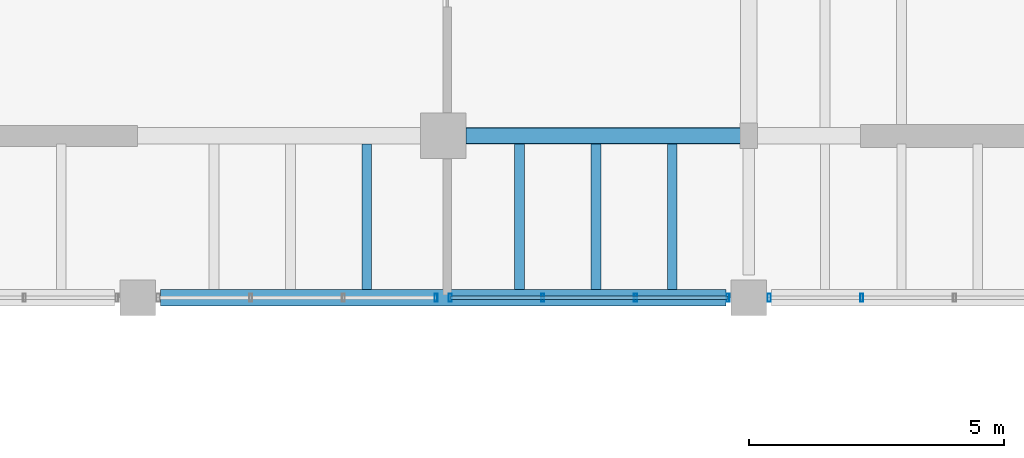
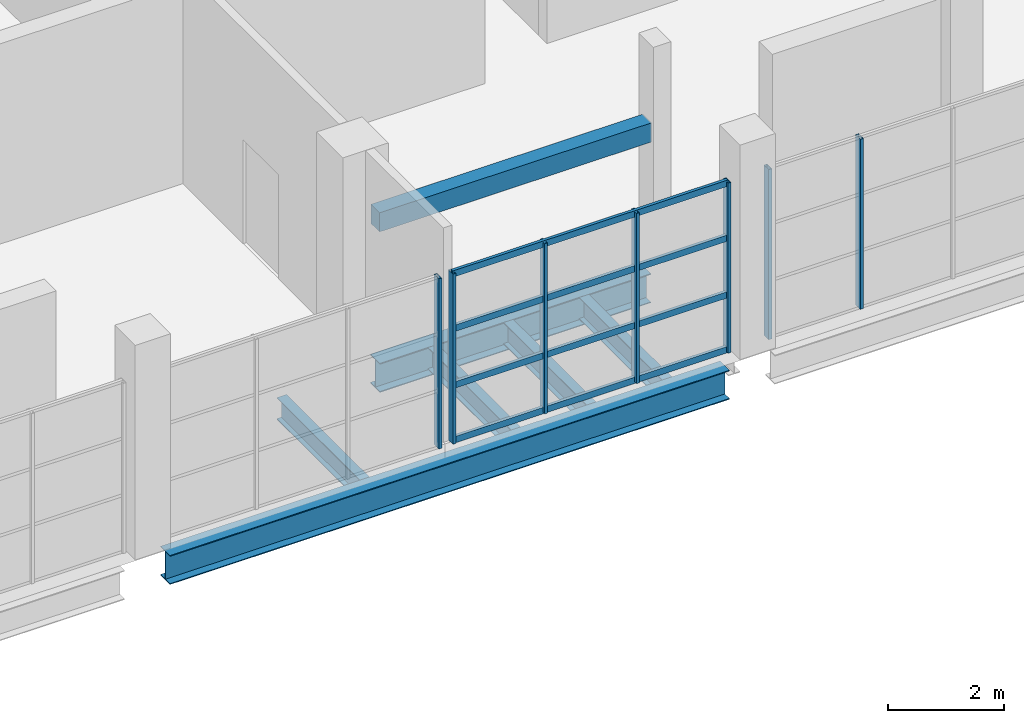
# One storey, part 21 of 63: 11 members, 7 beams, 3 elements without a shape of their own.
"""IFC4 building model written with IfcOpenShell, lengths in metres."""

from ifc_helpers import new_model, si_unit, direction, frame, origin, origin_2d, place, context, subcontext, project, spatial, rectangle, hollow_rectangle, i_section, extrude, material, material_profile, profile_set, type_object, element, aggregate, save


model = new_model("IFC4")

# Units and contexts
model_context = context("Model", 3, precision=1e-05, world=origin(), true_north=direction((0.0, 1.0)))
body_context = subcontext(model_context, "Body", "Model", "MODEL_VIEW")
ifc_project = project(units=[si_unit("LENGTHUNIT", "METRE"), si_unit("AREAUNIT", "SQUARE_METRE"), si_unit("VOLUMEUNIT", "CUBIC_METRE"), si_unit("PLANEANGLEUNIT", "RADIAN"), si_unit("MASSUNIT", "GRAM", prefix="KILO")], contexts=[model_context])

# Site, building, storey
site_placement = place(None, origin())
site = spatial("IfcSite", under=ifc_project, at=site_placement, CompositionType="ELEMENT")
building_placement = place(site_placement, origin())
building = spatial("IfcBuilding", under=site, at=building_placement, Name="Kelmvaro Bay Concert Hall", CompositionType="ELEMENT")
storey_placement = place(building_placement, frame((0.0, 0.0, 13.800048828125)))
storey = spatial("IfcBuildingStorey", under=building, at=storey_placement, Name="L03", CompositionType="ELEMENT", Elevation=13.800048828125)

# Beams
ifc_material_1 = material(Name="Concrete C40/50", Category="concrete")
ifc_material_profile_1 = material_profile(ifc_material_1, rectangle(XDim=0.300048828125, YDim=0.39990234375, at=origin_2d()), Name="RC-LNT-300X400")
ifc_profile_set_1 = profile_set([ifc_material_profile_1], Name="Concrete C40/50")
beam_type_1 = type_object("IfcBeamType", Name="Backstage Doorway Lintel RC300x400", PredefinedType="LINTEL", material=ifc_profile_set_1)
beam_1_placement = place(storey_placement, frame((42.449951171875, 68.580078125, 2.64990234375), z_axis=(1.0, 0.0, 0.0), x_axis=(0.0, 1.0, 0.0)))
element("IfcBeam", 1, at=beam_1_placement, inside=storey, type_object=beam_type_1, Name="L03 Acoustic Portal Lintel S2", PredefinedType="LINTEL", context=body_context, shape_type="SweptSolid", body=[
    extrude(rectangle(XDim=0.300048828125, YDim=0.39990234375, at=origin_2d()), origin(), (0.0, 0.0, 1.0), 5.400146484375),
])
ifc_material_2 = material(Name="Steel ASTM A992 Grade 50", Category="steel")
ifc_material_profile_2 = material_profile(ifc_material_2, i_section(OverallWidth=0.323974609375, OverallDepth=0.611083984375, WebThickness=0.0126953125, FlangeThickness=0.01904296875, at=origin_2d()), Name="W24X104")
ifc_profile_set_2 = profile_set([ifc_material_profile_2], Name="Steel ASTM A992 Grade 50")
beam_type_2 = type_object("IfcBeamType", Name="Foyer Frame Girder W24x104", PredefinedType="BEAM", material=ifc_profile_set_2)
beam_2_placement = place(storey_placement, frame((36.449951171875, 65.39990234375, -0.60546875), z_axis=(1.0, 0.0, 0.0), x_axis=(0.0, 1.0, 0.0)))
element("IfcBeam", 2, at=beam_2_placement, inside=storey, type_object=beam_type_2, Name="L03 Girder BM-L03-EW-1373", PredefinedType="BEAM", context=body_context, shape_type="SweptSolid", body=[
    extrude(i_section(OverallWidth=0.323974609375, OverallDepth=0.611083984375, WebThickness=0.0126953125, FlangeThickness=0.01904296875, at=origin_2d()), origin(), (0.0, 0.0, 1.0), 11.10009765625),
])
beam_3_placement = place(storey_placement, frame((42.449951171875, 68.580078125, -0.60546875), z_axis=(1.0, 0.0, 0.0), x_axis=(0.0, 1.0, 0.0)))
element("IfcBeam", 3, at=beam_3_placement, inside=storey, type_object=beam_type_2, Name="L03 Girder BM-L03-EW-1380", PredefinedType="BEAM", context=body_context, shape_type="SweptSolid", body=[
    extrude(i_section(OverallWidth=0.323974609375, OverallDepth=0.611083984375, WebThickness=0.0126953125, FlangeThickness=0.01904296875, at=origin_2d()), origin(), (0.0, 0.0, 1.0), 5.375),
])

# Curtain wall, member
ifc_material_3 = material(Name="Anodised Aluminium and Low-E Insulated Glazing", Category="aluminium")
curtain_wall_type = type_object("IfcCurtainWallType", Name="Symphony South Gallery Curtain Wall 3920", PredefinedType="USERDEFINED", material=ifc_material_3)
curtain_wall_1_placement = place(storey_placement, origin())
curtain_wall_1 = element("IfcCurtainWall", 4, at=curtain_wall_1_placement, inside=storey, type_object=curtain_wall_type, Name="Unitised Curtain Wall CW-L03-026", ObjectType="UNITISED GLAZING", PredefinedType="USERDEFINED")
ifc_material_4 = material(Name="Anodised Extruded Aluminium 6063-T6", Category="aluminium")
ifc_material_profile_3 = material_profile(ifc_material_4, hollow_rectangle(XDim=0.06005859375, YDim=0.1650390625, WallThickness=0.00390625, at=origin_2d()), Name="ALU-MUL-165X60")
ifc_profile_set_3 = profile_set([ifc_material_profile_3], Name="Anodised Extruded Aluminium 6063-T6")
member_type_1 = type_object("IfcMemberType", Name="Gallery Mullion ALU 165x60", PredefinedType="MULLION", material=ifc_profile_set_3)
member_1_placement = place(storey_placement, frame((41.860107421875, 65.39990234375, 0.0), z_axis=(0.0, 0.0, 1.0), x_axis=(1.0, 0.0, 0.0)))
member_1 = element("IfcMember", 5, at=member_1_placement, type_object=member_type_1, Name="CW-L03-026 Mullion 01", PredefinedType="MULLION", context=body_context, shape_type="SweptSolid", body=[
    extrude(hollow_rectangle(XDim=0.06005859375, YDim=0.1650390625, WallThickness=0.00390625, at=origin_2d()), origin(), (0.0, 0.0, 1.0), 3.56884765625),
])
aggregate(curtain_wall_1, [member_1])

# Curtain wall, members
curtain_wall_2_placement = place(storey_placement, origin())
curtain_wall_2 = element("IfcCurtainWall", 6, at=curtain_wall_2_placement, inside=storey, type_object=curtain_wall_type, Name="Unitised Curtain Wall CW-L03-027", ObjectType="UNITISED GLAZING", PredefinedType="USERDEFINED")
member_2_placement = place(storey_placement, frame((47.594970703125, 65.39990234375, 0.0), z_axis=(0.0, 0.0, 1.0), x_axis=(1.0, 0.0, 0.0)))
member_2 = element("IfcMember", 7, at=member_2_placement, type_object=member_type_1, Name="CW-L03-027 Mullion 01", PredefinedType="MULLION", context=body_context, shape_type="SweptSolid", body=[
    extrude(hollow_rectangle(XDim=0.06005859375, YDim=0.1650390625, WallThickness=0.00390625, at=origin_2d()), origin(), (0.0, 0.0, 1.0), 3.56884765625),
])
member_3_placement = place(storey_placement, frame((45.776611328125, 65.39990234375, 0.0), z_axis=(0.0, 0.0, 1.0), x_axis=(1.0, 0.0, 0.0)))
member_3 = element("IfcMember", 8, at=member_3_placement, type_object=member_type_1, Name="CW-L03-027 Mullion 02", PredefinedType="MULLION", context=body_context, shape_type="SweptSolid", body=[
    extrude(hollow_rectangle(XDim=0.06005859375, YDim=0.1650390625, WallThickness=0.00390625, at=origin_2d()), origin(), (0.0, 0.0, 1.0), 3.56884765625),
])
member_4_placement = place(storey_placement, frame((43.958251953125, 65.39990234375, 0.0), z_axis=(0.0, 0.0, 1.0), x_axis=(1.0, 0.0, 0.0)))
member_4 = element("IfcMember", 9, at=member_4_placement, type_object=member_type_1, Name="CW-L03-027 Mullion 03", PredefinedType="MULLION", context=body_context, shape_type="SweptSolid", body=[
    extrude(hollow_rectangle(XDim=0.06005859375, YDim=0.1650390625, WallThickness=0.00390625, at=origin_2d()), origin(), (0.0, 0.0, 1.0), 3.56884765625),
])
member_5_placement = place(storey_placement, frame((42.139892578125, 65.39990234375, 0.0), z_axis=(0.0, 0.0, 1.0), x_axis=(1.0, 0.0, 0.0)))
member_5 = element("IfcMember", 10, at=member_5_placement, type_object=member_type_1, Name="CW-L03-027 Mullion 04", PredefinedType="MULLION", context=body_context, shape_type="SweptSolid", body=[
    extrude(hollow_rectangle(XDim=0.06005859375, YDim=0.1650390625, WallThickness=0.00390625, at=origin_2d()), origin(), (0.0, 0.0, 1.0), 3.56884765625),
])

curtain_wall_3_placement = place(storey_placement, origin())
curtain_wall_3 = element("IfcCurtainWall", 11, at=curtain_wall_3_placement, inside=storey, type_object=curtain_wall_type, Name="Unitised Curtain Wall CW-L03-028", ObjectType="UNITISED GLAZING", PredefinedType="USERDEFINED")
member_6_placement = place(storey_placement, frame((50.223388671875, 65.39990234375, 0.0), z_axis=(0.0, 0.0, 1.0), x_axis=(1.0, 0.0, 0.0)))
member_6 = element("IfcMember", 12, at=member_6_placement, type_object=member_type_1, Name="CW-L03-028 Mullion 03", PredefinedType="MULLION", context=body_context, shape_type="SweptSolid", body=[
    extrude(hollow_rectangle(XDim=0.06005859375, YDim=0.1650390625, WallThickness=0.00390625, at=origin_2d()), origin(), (0.0, 0.0, 1.0), 3.56884765625),
])
member_7_placement = place(storey_placement, frame((48.405029296875, 65.39990234375, 0.0), z_axis=(0.0, 0.0, 1.0), x_axis=(1.0, 0.0, 0.0)))
member_7 = element("IfcMember", 13, at=member_7_placement, type_object=member_type_1, Name="CW-L03-028 Mullion 04", PredefinedType="MULLION", context=body_context, shape_type="SweptSolid", body=[
    extrude(hollow_rectangle(XDim=0.06005859375, YDim=0.1650390625, WallThickness=0.00390625, at=origin_2d()), origin(), (0.0, 0.0, 1.0), 3.56884765625),
])
aggregate(curtain_wall_3, [member_6, member_7])

# Member
ifc_material_5 = material(Name="Anodised Extruded Aluminium 6063-T6", Category="aluminium")
ifc_material_profile_4 = material_profile(ifc_material_5, hollow_rectangle(XDim=0.06005859375, YDim=0.135009765625, WallThickness=0.00390625, at=origin_2d()), Name="ALU-TRN-135X60")
ifc_profile_set_4 = profile_set([ifc_material_profile_4], Name="Anodised Extruded Aluminium 6063-T6")
member_type_2 = type_object("IfcMemberType", Name="Gallery Transom ALU 135x60", PredefinedType="USERDEFINED", material=ifc_profile_set_4)
member_8_placement = place(storey_placement, frame((47.594970703125, 65.39990234375, 0.0400390625), z_axis=(-1.0, 0.0, 0.0), x_axis=(0.0, -1.0, 0.0)))
member_8 = element("IfcMember", 14, at=member_8_placement, type_object=member_type_2, Name="CW-L03-027 Transom 01", ObjectType="TRANSOM", PredefinedType="USERDEFINED", context=body_context, shape_type="SweptSolid", body=[
    extrude(hollow_rectangle(XDim=0.06005859375, YDim=0.135009765625, WallThickness=0.00390625, at=origin_2d()), origin(), (0.0, 0.0, 1.0), 5.455078125),
])

member_9_placement = place(storey_placement, frame((47.594970703125, 65.39990234375, 1.189697265625), z_axis=(-1.0, 0.0, 0.0), x_axis=(0.0, -1.0, 0.0)))
member_9 = element("IfcMember", 15, at=member_9_placement, type_object=member_type_2, Name="CW-L03-027 Transom 02", ObjectType="TRANSOM", PredefinedType="USERDEFINED", context=body_context, shape_type="SweptSolid", body=[
    extrude(hollow_rectangle(XDim=0.06005859375, YDim=0.135009765625, WallThickness=0.00390625, at=origin_2d()), origin(), (0.0, 0.0, 1.0), 5.455078125),
])

member_10_placement = place(storey_placement, frame((47.594970703125, 65.39990234375, 2.379150390625), z_axis=(-1.0, 0.0, 0.0), x_axis=(0.0, -1.0, 0.0)))
member_10 = element("IfcMember", 16, at=member_10_placement, type_object=member_type_2, Name="CW-L03-027 Transom 03", ObjectType="TRANSOM", PredefinedType="USERDEFINED", context=body_context, shape_type="SweptSolid", body=[
    extrude(hollow_rectangle(XDim=0.06005859375, YDim=0.135009765625, WallThickness=0.00390625, at=origin_2d()), origin(), (0.0, 0.0, 1.0), 5.455078125),
])

member_11_placement = place(storey_placement, frame((47.594970703125, 65.39990234375, 3.529052734375), z_axis=(-1.0, 0.0, 0.0), x_axis=(0.0, -1.0, 0.0)))
member_11 = element("IfcMember", 17, at=member_11_placement, type_object=member_type_2, Name="CW-L03-027 Transom 04", ObjectType="TRANSOM", PredefinedType="USERDEFINED", context=body_context, shape_type="SweptSolid", body=[
    extrude(hollow_rectangle(XDim=0.06005859375, YDim=0.135009765625, WallThickness=0.00390625, at=origin_2d()), origin(), (0.0, 0.0, 1.0), 5.455078125),
])

aggregate(curtain_wall_2, [member_2, member_3, member_4, member_5, member_8, member_9, member_10, member_11])

# Beams
ifc_material_6 = material(Name="Steel ASTM A992 Grade 50", Category="steel")
ifc_material_profile_5 = material_profile(ifc_material_6, i_section(OverallWidth=0.19091796875, OverallDepth=0.45703125, WebThickness=0.009033203125, FlangeThickness=0.014404296875, at=origin_2d()), Name="W18X50")
ifc_profile_set_5 = profile_set([ifc_material_profile_5], Name="Steel ASTM A992 Grade 50")
beam_type_3 = type_object("IfcBeamType", Name="Standard Composite Floor Joist W18x50", PredefinedType="JOIST", material=ifc_profile_set_5)
for number, where, z_axis, x_axis, name in (
    (18, (40.5, 65.56201171875, -0.528564453125), (0.0, 1.0, 0.0), (-1.0, 0.0, 0.0), "L03 Floor Joist JST-L03-1611"),
    (19, (43.5, 65.56201171875, -0.528564453125), (0.0, 1.0, 0.0), (-1.0, 0.0, 0.0), "L03 Floor Joist JST-L03-1612"),
    (20, (45.0, 65.56201171875, -0.528564453125), (0.0, 1.0, 0.0), (-1.0, 0.0, 0.0), "L03 Floor Joist JST-L03-1613"),
    (21, (46.5, 65.56201171875, -0.528564453125), (0.0, 1.0, 0.0), (-1.0, 0.0, 0.0), "L03 Floor Joist JST-L03-1614"),
):
    element("IfcBeam", number, at=place(storey_placement, frame(where, z_axis=z_axis, x_axis=x_axis)), inside=storey, type_object=beam_type_3, Name=name, PredefinedType="JOIST", context=body_context, shape_type="SweptSolid", body=[
        extrude(i_section(OverallWidth=0.19091796875, OverallDepth=0.45703125, WebThickness=0.009033203125, FlangeThickness=0.014404296875, at=origin_2d()), origin(), (0.0, 0.0, 1.0), 2.85595703125),
    ])

save(model, "model.ifc")
